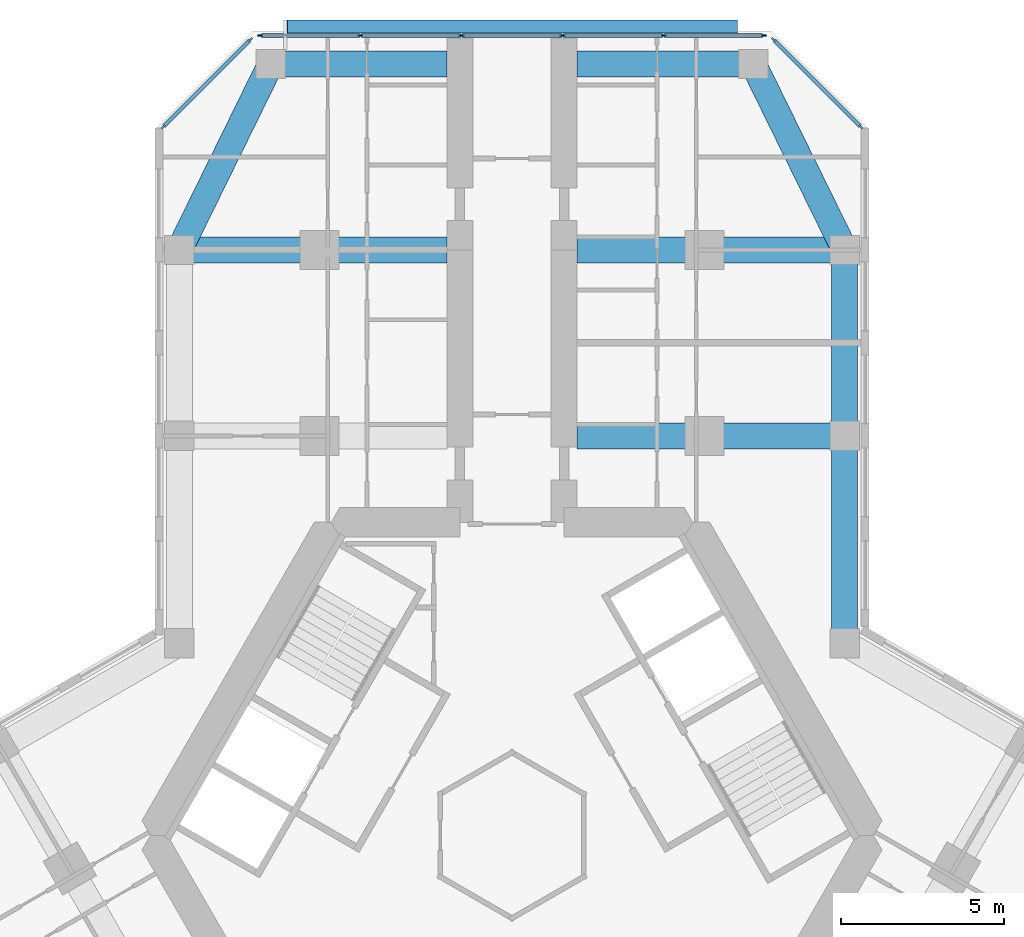
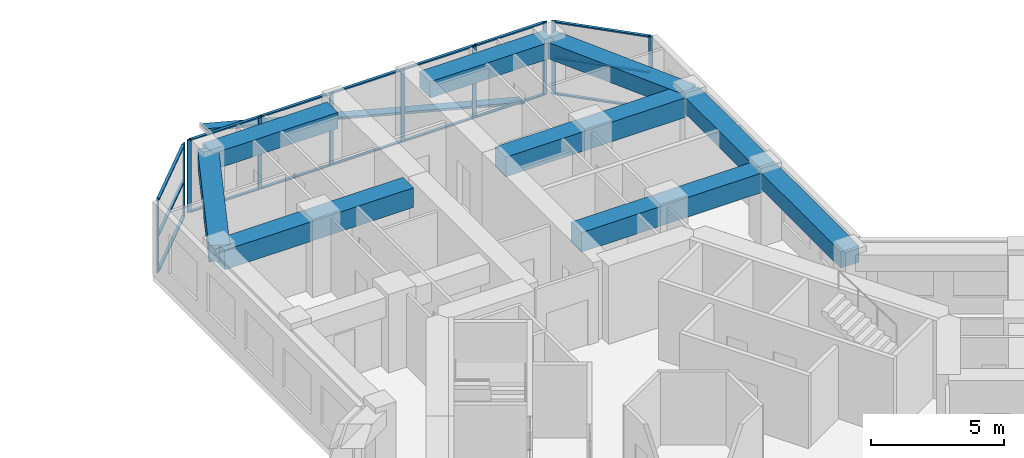
# One storey, part 7 of 20: 27 members, 9 beams, 3 elements without a shape of their own.
"""IFC4 building model written with IfcOpenShell, lengths in metres."""

from ifc_helpers import new_model, si_unit, direction, frame, origin, origin_2d, place, context, subcontext, project, spatial, rectangle, extrude, material, material_profile, profile_set, type_object, element, aggregate, save


model = new_model("IFC4")

# Units and contexts
model_context = context("Model", 3, precision=1e-05, world=origin(), true_north=direction((0.0, 1.0)))
body_context = subcontext(model_context, "Body", "Model", "MODEL_VIEW")
ifc_project = project(units=[si_unit("LENGTHUNIT", "METRE"), si_unit("AREAUNIT", "SQUARE_METRE"), si_unit("VOLUMEUNIT", "CUBIC_METRE"), si_unit("PLANEANGLEUNIT", "RADIAN"), si_unit("MASSUNIT", "GRAM", prefix="KILO")], contexts=[model_context])

# Site, building, storey
site_placement = place(None, origin())
site = spatial("IfcSite", under=ifc_project, at=site_placement, CompositionType="ELEMENT")
building_placement = place(site_placement, origin())
building = spatial("IfcBuilding", under=site, at=building_placement, Name="Kosmar Iwan School Tower", CompositionType="ELEMENT")
storey_placement = place(building_placement, frame((0.0, 0.0, 131.0)))
storey = spatial("IfcBuildingStorey", under=building, at=storey_placement, Name="L32", CompositionType="ELEMENT", Elevation=131.0)

# Member
ifc_material_1 = material(Name="Black anodised aluminium", Category="aluminium")
ifc_material_profile_1 = material_profile(ifc_material_1, rectangle(XDim=0.10009765625, YDim=0.39990234375, at=origin_2d()), Name="FIN 100x400")
ifc_profile_set_1 = profile_set([ifc_material_profile_1], Name="Black anodised aluminium")
member_type_1 = type_object("IfcMemberType", Name="Diagonal fin 100x400", PredefinedType="USERDEFINED", material=ifc_profile_set_1)
member_1_placement = place(storey_placement, frame((6.898193359375, 24.800048828125, -0.14990234375), z_axis=(-0.967603633438, 0.0, 0.252474174041), x_axis=(0.252474174041, 0.0, 0.967603633438)))
element("IfcMember", 1, at=member_1_placement, inside=storey, type_object=member_type_1, Name="Diagonal fin L32-F08", ObjectType="FIN", PredefinedType="USERDEFINED", context=body_context, shape_type="SweptSolid", body=[
    extrude(rectangle(XDim=0.10009765625, YDim=0.39990234375, at=origin_2d()), origin(), (0.0, 0.0, 1.0), 14.25830078125),
])

# Curtain wall, members
ifc_material_2 = material(Name="Dark glass in black aluminium frame", Category="aluminium")
curtain_wall_type_1 = type_object("IfcCurtainWallType", Name="Chamfer curtain wall dark glass", PredefinedType="USERDEFINED", material=ifc_material_2)
curtain_wall_1_placement = place(storey_placement, origin())
curtain_wall_1 = element("IfcCurtainWall", 2, at=curtain_wall_1_placement, inside=storey, type_object=curtain_wall_type_1, Name="Curtain wall L32-F07", ObjectType="FACETED CURTAIN WALL", PredefinedType="USERDEFINED")
ifc_material_3 = material(Name="Black anodised aluminium", Category="aluminium")
ifc_material_profile_2 = material_profile(ifc_material_3, rectangle(XDim=0.06005859375, YDim=0.159912109375, at=origin_2d()), Name="MULLION 60x160")
ifc_profile_set_2 = profile_set([ifc_material_profile_2], Name="Black anodised aluminium")
member_type_2 = type_object("IfcMemberType", Name="Mullion 60x160", PredefinedType="MULLION", material=ifc_profile_set_2)
member_2_placement = place(storey_placement, frame((10.69775390625, 21.7255859375, 0.0), z_axis=(0.0, 0.0, 1.0), x_axis=(-0.707106781187, -0.707106781187, 0.0)))
member_2 = element("IfcMember", 3, at=member_2_placement, type_object=member_type_2, Name="CW2 mullion 1", PredefinedType="MULLION", context=body_context, shape_type="SweptSolid", body=[
    extrude(rectangle(XDim=0.06005859375, YDim=0.159912109375, at=origin_2d()), origin(), (0.0, 0.0, 1.0), 3.35009765625),
])
member_3_placement = place(storey_placement, frame((8.025390625, 24.397705078125, 0.0), z_axis=(0.0, 0.0, 1.0), x_axis=(-0.707106781187, -0.707106781187, 0.0)))
member_3 = element("IfcMember", 4, at=member_3_placement, type_object=member_type_2, Name="CW2 mullion 2", PredefinedType="MULLION", context=body_context, shape_type="SweptSolid", body=[
    extrude(rectangle(XDim=0.06005859375, YDim=0.159912109375, at=origin_2d()), origin(), (0.0, 0.0, 1.0), 3.35009765625),
])

ifc_material_4 = material(Name="Dark glass in black aluminium frame", Category="aluminium")
curtain_wall_type_2 = type_object("IfcCurtainWallType", Name="Tower curtain wall dark glass", PredefinedType="USERDEFINED", material=ifc_material_4)
curtain_wall_2_placement = place(storey_placement, origin())
curtain_wall_2 = element("IfcCurtainWall", 5, at=curtain_wall_2_placement, inside=storey, type_object=curtain_wall_type_2, Name="Curtain wall L32-F08", ObjectType="UNITISED CURTAIN WALL", PredefinedType="USERDEFINED")
member_4_placement = place(storey_placement, frame((7.71826171875, 24.52490234375, 0.0), z_axis=(0.0, 0.0, 1.0), x_axis=(0.0, -1.0, 0.0)))
member_4 = element("IfcMember", 6, at=member_4_placement, type_object=member_type_2, Name="CW1 mullion 1", PredefinedType="MULLION", context=body_context, shape_type="SweptSolid", body=[
    extrude(rectangle(XDim=0.06005859375, YDim=0.159912109375, at=origin_2d()), origin(), (0.0, 0.0, 1.0), 3.35009765625),
])
member_5_placement = place(storey_placement, frame((4.64892578125, 24.52490234375, 0.0), z_axis=(0.0, 0.0, 1.0), x_axis=(0.0, -1.0, 0.0)))
member_5 = element("IfcMember", 7, at=member_5_placement, type_object=member_type_2, Name="CW1 mullion 2", PredefinedType="MULLION", context=body_context, shape_type="SweptSolid", body=[
    extrude(rectangle(XDim=0.06005859375, YDim=0.159912109375, at=origin_2d()), origin(), (0.0, 0.0, 1.0), 3.35009765625),
])
member_6_placement = place(storey_placement, frame((1.549560546875, 24.52490234375, 0.0), z_axis=(0.0, 0.0, 1.0), x_axis=(0.0, -1.0, 0.0)))
member_6 = element("IfcMember", 8, at=member_6_placement, type_object=member_type_2, Name="CW1 mullion 3", PredefinedType="MULLION", context=body_context, shape_type="SweptSolid", body=[
    extrude(rectangle(XDim=0.06005859375, YDim=0.159912109375, at=origin_2d()), origin(), (0.0, 0.0, 1.0), 3.35009765625),
])
member_7_placement = place(storey_placement, frame((-1.549560546875, 24.52490234375, 0.0), z_axis=(0.0, 0.0, 1.0), x_axis=(0.0, -1.0, 0.0)))
member_7 = element("IfcMember", 9, at=member_7_placement, type_object=member_type_2, Name="CW1 mullion 4", PredefinedType="MULLION", context=body_context, shape_type="SweptSolid", body=[
    extrude(rectangle(XDim=0.06005859375, YDim=0.159912109375, at=origin_2d()), origin(), (0.0, 0.0, 1.0), 3.35009765625),
])
member_8_placement = place(storey_placement, frame((-4.64892578125, 24.52490234375, 0.0), z_axis=(0.0, 0.0, 1.0), x_axis=(0.0, -1.0, 0.0)))
member_8 = element("IfcMember", 10, at=member_8_placement, type_object=member_type_2, Name="CW1 mullion 5", PredefinedType="MULLION", context=body_context, shape_type="SweptSolid", body=[
    extrude(rectangle(XDim=0.06005859375, YDim=0.159912109375, at=origin_2d()), origin(), (0.0, 0.0, 1.0), 3.35009765625),
])
member_9_placement = place(storey_placement, frame((-7.71826171875, 24.52490234375, 0.0), z_axis=(0.0, 0.0, 1.0), x_axis=(0.0, -1.0, 0.0)))
member_9 = element("IfcMember", 11, at=member_9_placement, type_object=member_type_2, Name="CW1 mullion 6", PredefinedType="MULLION", context=body_context, shape_type="SweptSolid", body=[
    extrude(rectangle(XDim=0.06005859375, YDim=0.159912109375, at=origin_2d()), origin(), (0.0, 0.0, 1.0), 3.35009765625),
])

curtain_wall_3_placement = place(storey_placement, origin())
curtain_wall_3 = element("IfcCurtainWall", 12, at=curtain_wall_3_placement, inside=storey, type_object=curtain_wall_type_1, Name="Curtain wall L32-F09", ObjectType="FACETED CURTAIN WALL", PredefinedType="USERDEFINED")
member_10_placement = place(storey_placement, frame((-8.025390625, 24.397705078125, 0.0), z_axis=(0.0, 0.0, 1.0), x_axis=(0.707106781187, -0.707106781187, 0.0)))
member_10 = element("IfcMember", 13, at=member_10_placement, type_object=member_type_2, Name="CW2 mullion 1", PredefinedType="MULLION", context=body_context, shape_type="SweptSolid", body=[
    extrude(rectangle(XDim=0.06005859375, YDim=0.159912109375, at=origin_2d()), origin(), (0.0, 0.0, 1.0), 3.35009765625),
])
member_11_placement = place(storey_placement, frame((-10.69775390625, 21.7255859375, 0.0), z_axis=(0.0, 0.0, 1.0), x_axis=(0.707106781187, -0.707106781187, 0.0)))
member_11 = element("IfcMember", 14, at=member_11_placement, type_object=member_type_2, Name="CW2 mullion 2", PredefinedType="MULLION", context=body_context, shape_type="SweptSolid", body=[
    extrude(rectangle(XDim=0.06005859375, YDim=0.159912109375, at=origin_2d()), origin(), (0.0, 0.0, 1.0), 3.35009765625),
])

# Beams
ifc_material_5 = material(Name="Concrete C50/60", Category="concrete")
ifc_material_profile_3 = material_profile(ifc_material_5, rectangle(XDim=0.800048828125, YDim=0.75, at=origin_2d()), Name="RC 800x750")
ifc_profile_set_3 = profile_set([ifc_material_profile_3], Name="Concrete C50/60")
beam_type_1 = type_object("IfcBeamType", Name="RC edge beam 800x750", PredefinedType="BEAM", material=ifc_profile_set_3)
beam_1_placement = place(storey_placement, frame((10.199951171875, 5.888916015625, 2.97509765625), z_axis=(0.0, 1.0, 0.0), x_axis=(-1.0, 0.0, 0.0)))
element("IfcBeam", 15, at=beam_1_placement, inside=storey, type_object=beam_type_1, Name="Edge beam AR1", PredefinedType="BEAM", context=body_context, shape_type="SweptSolid", body=[
    extrude(rectangle(XDim=0.800048828125, YDim=0.75, at=origin_2d()), origin(), (0.0, 0.0, 1.0), 6.361083984375),
])
beam_2_placement = place(storey_placement, frame((10.199951171875, 12.25, 2.97509765625), z_axis=(0.0, 1.0, 0.0), x_axis=(-1.0, 0.0, 0.0)))
element("IfcBeam", 16, at=beam_2_placement, inside=storey, type_object=beam_type_1, Name="Edge beam AR2", PredefinedType="BEAM", context=body_context, shape_type="SweptSolid", body=[
    extrude(rectangle(XDim=0.800048828125, YDim=0.75, at=origin_2d()), origin(), (0.0, 0.0, 1.0), 5.699951171875),
])
ifc_material_6 = material(Name="Concrete C50/60", Category="concrete")
ifc_material_profile_4 = material_profile(ifc_material_6, rectangle(XDim=0.800048828125, YDim=0.75, at=origin_2d()), Name="RC 800x750")
ifc_profile_set_4 = profile_set([ifc_material_profile_4], Name="Concrete C50/60")
beam_type_2 = type_object("IfcBeamType", Name="RC tip beam 800x750", PredefinedType="BEAM", material=ifc_profile_set_4)
beam_3_placement = place(storey_placement, frame((-10.199951171875, 17.949951171875, 2.97509765625), z_axis=(0.440913116462, 0.897549788999, 0.0), x_axis=(-0.897549788999, 0.440913116462, 0.0)))
element("IfcBeam", 17, at=beam_3_placement, inside=storey, type_object=beam_type_2, Name="Tip beam AL", PredefinedType="BEAM", context=body_context, shape_type="SweptSolid", body=[
    extrude(rectangle(XDim=0.800048828125, YDim=0.75, at=origin_2d()), origin(), (0.0, 0.0, 1.0), 6.3505859375),
])
beam_4_placement = place(storey_placement, frame((-7.39990234375, 23.64990234375, 2.97509765625), z_axis=(1.0, 0.0, 0.0), x_axis=(0.0, 1.0, 0.0)))
element("IfcBeam", 18, at=beam_4_placement, inside=storey, type_object=beam_type_2, Name="Tip beam AL to corridor wall", PredefinedType="BEAM", context=body_context, shape_type="SweptSolid", body=[
    extrude(rectangle(XDim=0.800048828125, YDim=0.75, at=origin_2d()), origin(), (0.0, 0.0, 1.0), 5.39990234375),
])
beam_5_placement = place(storey_placement, frame((10.199951171875, 17.949951171875, 2.97509765625), z_axis=(-0.440913116462, 0.897549788999, 0.0), x_axis=(-0.897549788999, -0.440913116462, 0.0)))
element("IfcBeam", 19, at=beam_5_placement, inside=storey, type_object=beam_type_2, Name="Tip beam AR", PredefinedType="BEAM", context=body_context, shape_type="SweptSolid", body=[
    extrude(rectangle(XDim=0.800048828125, YDim=0.75, at=origin_2d()), origin(), (0.0, 0.0, 1.0), 6.3505859375),
])
beam_6_placement = place(storey_placement, frame((7.39990234375, 23.64990234375, 2.97509765625), z_axis=(-1.0, 0.0, 0.0), x_axis=(0.0, -1.0, 0.0)))
element("IfcBeam", 20, at=beam_6_placement, inside=storey, type_object=beam_type_2, Name="Tip beam AR to corridor wall", PredefinedType="BEAM", context=body_context, shape_type="SweptSolid", body=[
    extrude(rectangle(XDim=0.800048828125, YDim=0.75, at=origin_2d()), origin(), (0.0, 0.0, 1.0), 5.39990234375),
])
ifc_material_7 = material(Name="Concrete C50/60", Category="concrete")
ifc_material_profile_5 = material_profile(ifc_material_7, rectangle(XDim=0.800048828125, YDim=0.89990234375, at=origin_2d()), Name="RC 800x900")
ifc_profile_set_5 = profile_set([ifc_material_profile_5], Name="Concrete C50/60")
beam_type_3 = type_object("IfcBeamType", Name="RC transverse beam 800x900", PredefinedType="BEAM", material=ifc_profile_set_5)
for number, where, z_axis, x_axis, name in (
    (21, (-10.199951171875, 17.949951171875, 2.89990234375), (1.0, 0.0, 0.0), (0.0, 1.0, 0.0), "Transverse beam AL2"),
    (22, (10.199951171875, 12.25, 2.89990234375), (-1.0, 0.0, 0.0), (0.0, -1.0, 0.0), "Transverse beam AR1"),
    (23, (10.199951171875, 17.949951171875, 2.89990234375), (-1.0, 0.0, 0.0), (0.0, -1.0, 0.0), "Transverse beam AR2"),
):
    element("IfcBeam", number, at=place(storey_placement, frame(where, z_axis=z_axis, x_axis=x_axis)), inside=storey, type_object=beam_type_3, Name=name, PredefinedType="BEAM", context=body_context, shape_type="SweptSolid", body=[
        extrude(rectangle(XDim=0.800048828125, YDim=0.89990234375, at=origin_2d()), origin(), (0.0, 0.0, 1.0), 8.199951171875),
    ])

# Member
ifc_material_8 = material(Name="Black anodised aluminium", Category="aluminium")
ifc_material_profile_6 = material_profile(ifc_material_8, rectangle(XDim=0.1201171875, YDim=0.06005859375, at=origin_2d()), Name="TRANSOM 60x120")
ifc_profile_set_6 = profile_set([ifc_material_profile_6], Name="Black anodised aluminium")
member_type_3 = type_object("IfcMemberType", Name="Transom 60x120", PredefinedType="USERDEFINED", material=ifc_profile_set_6)
member_12_placement = place(storey_placement, frame((10.676513671875, 21.746826171875, 0.030029296875), z_axis=(-0.707139603466, 0.707073957383, 0.0), x_axis=(-0.707073957383, -0.707139603466, 0.0)))
member_12 = element("IfcMember", 24, at=member_12_placement, type_object=member_type_3, Name="CW2 transom 1.1", ObjectType="TRANSOM", PredefinedType="USERDEFINED", context=body_context, shape_type="SweptSolid", body=[
    extrude(rectangle(XDim=0.1201171875, YDim=0.06005859375, at=origin_2d()), origin(), (0.0, 0.0, 1.0), 3.718994140625),
])

member_13_placement = place(storey_placement, frame((10.676513671875, 21.746826171875, 1.675048828125), z_axis=(-0.707139603466, 0.707073957383, 0.0), x_axis=(-0.707073957383, -0.707139603466, 0.0)))
member_13 = element("IfcMember", 25, at=member_13_placement, type_object=member_type_3, Name="CW2 transom 1.2", ObjectType="TRANSOM", PredefinedType="USERDEFINED", context=body_context, shape_type="SweptSolid", body=[
    extrude(rectangle(XDim=0.1201171875, YDim=0.06005859375, at=origin_2d()), origin(), (0.0, 0.0, 1.0), 3.718994140625),
])

member_14_placement = place(storey_placement, frame((10.676513671875, 21.746826171875, 3.320068359375), z_axis=(-0.707139603466, 0.707073957383, 0.0), x_axis=(-0.707073957383, -0.707139603466, 0.0)))
member_14 = element("IfcMember", 26, at=member_14_placement, type_object=member_type_3, Name="CW2 transom 1.3", ObjectType="TRANSOM", PredefinedType="USERDEFINED", context=body_context, shape_type="SweptSolid", body=[
    extrude(rectangle(XDim=0.1201171875, YDim=0.06005859375, at=origin_2d()), origin(), (0.0, 0.0, 1.0), 3.718994140625),
])

aggregate(curtain_wall_1, [member_2, member_3, member_12, member_13, member_14])

member_15_placement = place(storey_placement, frame((7.688232421875, 24.52490234375, 0.030029296875), z_axis=(-1.0, 0.0, 0.0), x_axis=(0.0, -1.0, 0.0)))
member_15 = element("IfcMember", 27, at=member_15_placement, type_object=member_type_3, Name="CW1 transom 1.1", ObjectType="TRANSOM", PredefinedType="USERDEFINED", context=body_context, shape_type="SweptSolid", body=[
    extrude(rectangle(XDim=0.1201171875, YDim=0.06005859375, at=origin_2d()), origin(), (0.0, 0.0, 1.0), 3.00927734375),
])

member_16_placement = place(storey_placement, frame((7.688232421875, 24.52490234375, 3.320068359375), z_axis=(-1.0, 0.0, 0.0), x_axis=(0.0, -1.0, 0.0)))
member_16 = element("IfcMember", 28, at=member_16_placement, type_object=member_type_3, Name="CW1 transom 1.2", ObjectType="TRANSOM", PredefinedType="USERDEFINED", context=body_context, shape_type="SweptSolid", body=[
    extrude(rectangle(XDim=0.1201171875, YDim=0.06005859375, at=origin_2d()), origin(), (0.0, 0.0, 1.0), 3.00927734375),
])

member_17_placement = place(storey_placement, frame((4.618896484375, 24.52490234375, 0.030029296875), z_axis=(-1.0, 0.0, 0.0), x_axis=(0.0, -1.0, 0.0)))
member_17 = element("IfcMember", 29, at=member_17_placement, type_object=member_type_3, Name="CW1 transom 2.1", ObjectType="TRANSOM", PredefinedType="USERDEFINED", context=body_context, shape_type="SweptSolid", body=[
    extrude(rectangle(XDim=0.1201171875, YDim=0.06005859375, at=origin_2d()), origin(), (0.0, 0.0, 1.0), 3.039306640625),
])

member_18_placement = place(storey_placement, frame((4.618896484375, 24.52490234375, 3.320068359375), z_axis=(-1.0, 0.0, 0.0), x_axis=(0.0, -1.0, 0.0)))
member_18 = element("IfcMember", 30, at=member_18_placement, type_object=member_type_3, Name="CW1 transom 2.2", ObjectType="TRANSOM", PredefinedType="USERDEFINED", context=body_context, shape_type="SweptSolid", body=[
    extrude(rectangle(XDim=0.1201171875, YDim=0.06005859375, at=origin_2d()), origin(), (0.0, 0.0, 1.0), 3.039306640625),
])

member_19_placement = place(storey_placement, frame((1.51953125, 24.52490234375, 0.030029296875), z_axis=(-1.0, 0.0, 0.0), x_axis=(0.0, -1.0, 0.0)))
member_19 = element("IfcMember", 31, at=member_19_placement, type_object=member_type_3, Name="CW1 transom 3.1", ObjectType="TRANSOM", PredefinedType="USERDEFINED", context=body_context, shape_type="SweptSolid", body=[
    extrude(rectangle(XDim=0.1201171875, YDim=0.06005859375, at=origin_2d()), origin(), (0.0, 0.0, 1.0), 3.0390625),
])

member_20_placement = place(storey_placement, frame((1.51953125, 24.52490234375, 3.320068359375), z_axis=(-1.0, 0.0, 0.0), x_axis=(0.0, -1.0, 0.0)))
member_20 = element("IfcMember", 32, at=member_20_placement, type_object=member_type_3, Name="CW1 transom 3.2", ObjectType="TRANSOM", PredefinedType="USERDEFINED", context=body_context, shape_type="SweptSolid", body=[
    extrude(rectangle(XDim=0.1201171875, YDim=0.06005859375, at=origin_2d()), origin(), (0.0, 0.0, 1.0), 3.0390625),
])

member_21_placement = place(storey_placement, frame((-1.57958984375, 24.52490234375, 0.030029296875), z_axis=(-1.0, 0.0, 0.0), x_axis=(0.0, -1.0, 0.0)))
member_21 = element("IfcMember", 33, at=member_21_placement, type_object=member_type_3, Name="CW1 transom 4.1", ObjectType="TRANSOM", PredefinedType="USERDEFINED", context=body_context, shape_type="SweptSolid", body=[
    extrude(rectangle(XDim=0.1201171875, YDim=0.06005859375, at=origin_2d()), origin(), (0.0, 0.0, 1.0), 3.039306640625),
])

member_22_placement = place(storey_placement, frame((-1.57958984375, 24.52490234375, 3.320068359375), z_axis=(-1.0, 0.0, 0.0), x_axis=(0.0, -1.0, 0.0)))
member_22 = element("IfcMember", 34, at=member_22_placement, type_object=member_type_3, Name="CW1 transom 4.2", ObjectType="TRANSOM", PredefinedType="USERDEFINED", context=body_context, shape_type="SweptSolid", body=[
    extrude(rectangle(XDim=0.1201171875, YDim=0.06005859375, at=origin_2d()), origin(), (0.0, 0.0, 1.0), 3.039306640625),
])

member_23_placement = place(storey_placement, frame((-4.678955078125, 24.52490234375, 0.030029296875), z_axis=(-1.0, 0.0, 0.0), x_axis=(0.0, -1.0, 0.0)))
member_23 = element("IfcMember", 35, at=member_23_placement, type_object=member_type_3, Name="CW1 transom 5.1", ObjectType="TRANSOM", PredefinedType="USERDEFINED", context=body_context, shape_type="SweptSolid", body=[
    extrude(rectangle(XDim=0.1201171875, YDim=0.06005859375, at=origin_2d()), origin(), (0.0, 0.0, 1.0), 3.00927734375),
])

member_24_placement = place(storey_placement, frame((-4.678955078125, 24.52490234375, 3.320068359375), z_axis=(-1.0, 0.0, 0.0), x_axis=(0.0, -1.0, 0.0)))
member_24 = element("IfcMember", 36, at=member_24_placement, type_object=member_type_3, Name="CW1 transom 5.2", ObjectType="TRANSOM", PredefinedType="USERDEFINED", context=body_context, shape_type="SweptSolid", body=[
    extrude(rectangle(XDim=0.1201171875, YDim=0.06005859375, at=origin_2d()), origin(), (0.0, 0.0, 1.0), 3.00927734375),
])

aggregate(curtain_wall_2, [member_4, member_5, member_6, member_7, member_8, member_9, member_15, member_16, member_17, member_18, member_19, member_20, member_21, member_22, member_23, member_24])

member_25_placement = place(storey_placement, frame((-8.046630859375, 24.37646484375, 0.030029296875), z_axis=(-0.707139603466, -0.707073957383, 0.0), x_axis=(0.707073957383, -0.707139603466, 0.0)))
member_25 = element("IfcMember", 37, at=member_25_placement, type_object=member_type_3, Name="CW2 transom 1.1", ObjectType="TRANSOM", PredefinedType="USERDEFINED", context=body_context, shape_type="SweptSolid", body=[
    extrude(rectangle(XDim=0.1201171875, YDim=0.06005859375, at=origin_2d()), origin(), (0.0, 0.0, 1.0), 3.718994140625),
])

member_26_placement = place(storey_placement, frame((-8.046630859375, 24.37646484375, 1.675048828125), z_axis=(-0.707139603466, -0.707073957383, 0.0), x_axis=(0.707073957383, -0.707139603466, 0.0)))
member_26 = element("IfcMember", 38, at=member_26_placement, type_object=member_type_3, Name="CW2 transom 1.2", ObjectType="TRANSOM", PredefinedType="USERDEFINED", context=body_context, shape_type="SweptSolid", body=[
    extrude(rectangle(XDim=0.1201171875, YDim=0.06005859375, at=origin_2d()), origin(), (0.0, 0.0, 1.0), 3.718994140625),
])

member_27_placement = place(storey_placement, frame((-8.046630859375, 24.37646484375, 3.320068359375), z_axis=(-0.707139603466, -0.707073957383, 0.0), x_axis=(0.707073957383, -0.707139603466, 0.0)))
member_27 = element("IfcMember", 39, at=member_27_placement, type_object=member_type_3, Name="CW2 transom 1.3", ObjectType="TRANSOM", PredefinedType="USERDEFINED", context=body_context, shape_type="SweptSolid", body=[
    extrude(rectangle(XDim=0.1201171875, YDim=0.06005859375, at=origin_2d()), origin(), (0.0, 0.0, 1.0), 3.718994140625),
])

aggregate(curtain_wall_3, [member_10, member_11, member_25, member_26, member_27])

save(model, "model.ifc")
